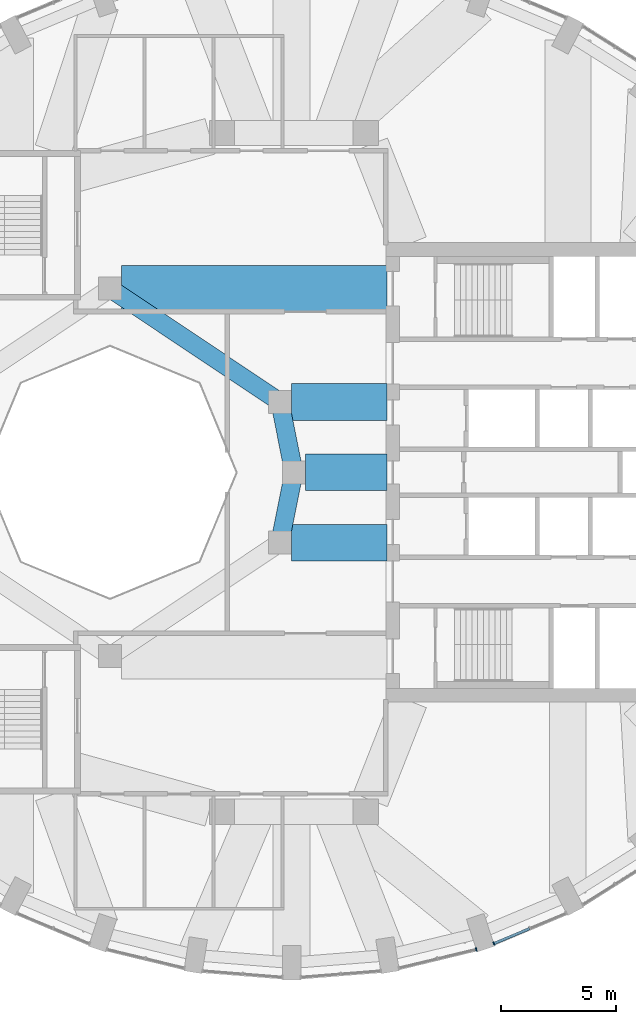
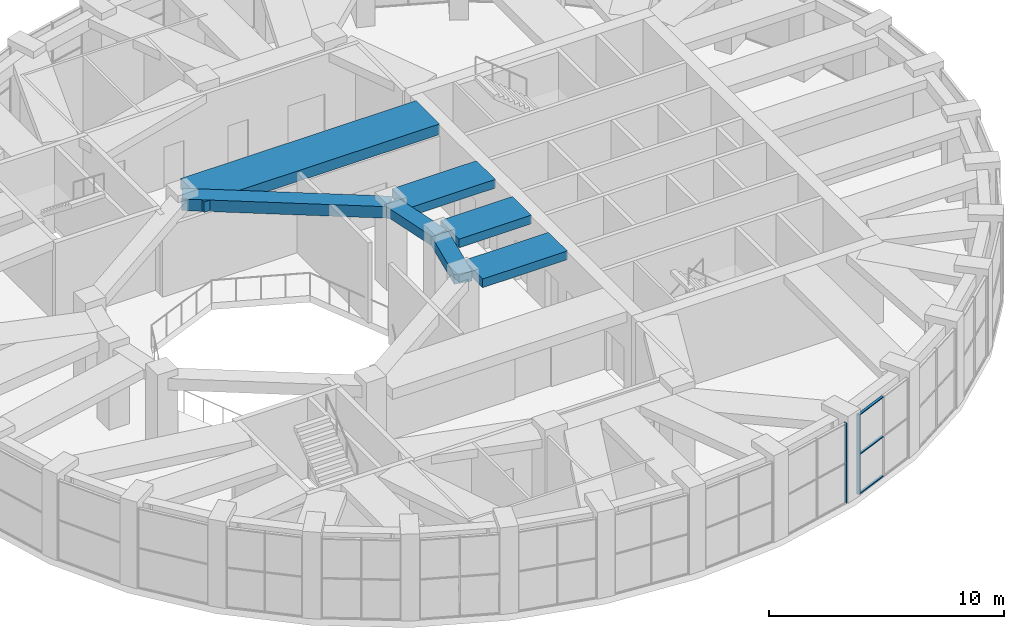
# One storey, part 5 of 17: 7 beams, 5 members, 2 elements without a shape of their own.
"""IFC4 building model written with IfcOpenShell, lengths in metres."""

from ifc_helpers import new_model, si_unit, direction, frame, origin, origin_2d, place, context, subcontext, project, spatial, rectangle, extrude, material, material_profile, profile_set, type_object, element, aggregate, save


model = new_model("IFC4")

# Units and contexts
model_context = context("Model", 3, precision=1e-05, world=origin(), true_north=direction((0.0, 1.0)))
body_context = subcontext(model_context, "Body", "Model", "MODEL_VIEW")
ifc_project = project(units=[si_unit("LENGTHUNIT", "METRE"), si_unit("AREAUNIT", "SQUARE_METRE"), si_unit("VOLUMEUNIT", "CUBIC_METRE"), si_unit("PLANEANGLEUNIT", "RADIAN"), si_unit("MASSUNIT", "GRAM", prefix="KILO")], contexts=[model_context])

# Site, building, storey
site_placement = place(None, origin())
site = spatial("IfcSite", under=ifc_project, at=site_placement, CompositionType="ELEMENT")
building_placement = place(site_placement, origin())
building = spatial("IfcBuilding", under=site, at=building_placement, Name="Taillehof Tower", CompositionType="ELEMENT")
storey_placement = place(building_placement, frame((0.0, 0.0, 259.699951171875)))
storey = spatial("IfcBuildingStorey", under=building, at=storey_placement, Name="L74", CompositionType="ELEMENT", Elevation=259.699951171875)

# Beams
ifc_material_1 = material(Name="Concrete C50/60", Category="concrete")
ifc_material_profile_1 = material_profile(ifc_material_1, rectangle(XDim=0.800048828125, YDim=0.5, at=origin_2d()), Name="RC 800x500")
ifc_profile_set_1 = profile_set([ifc_material_profile_1], Name="Concrete C50/60")
beam_type_1 = type_object("IfcBeamType", Name="Atrium ring beam C50/60 800x500", PredefinedType="BEAM", material=ifc_profile_set_1)
for number, where, z_axis, x_axis, name in (
    (1, (0.0, 0.0, 3.900146484375), (-0.195063155143, 0.980790683839, 0.0), (-0.980790683839, -0.195063155143, 0.0), "Atrium ring beam AB01"),
    (2, (-0.60888671875, -3.0615234375, 3.900146484375), (0.195063155143, 0.980790683839, 0.0), (-0.980790683839, 0.195063155143, 0.0), "Atrium ring beam AB08"),
):
    element("IfcBeam", number, at=place(storey_placement, frame(where, z_axis=z_axis, x_axis=x_axis)), inside=storey, type_object=beam_type_1, Name=name, PredefinedType="BEAM", context=body_context, shape_type="SweptSolid", body=[
        extrude(rectangle(XDim=0.800048828125, YDim=0.5, at=origin_2d()), origin(), (0.0, 0.0, 1.0), 3.12158203125),
    ])
ifc_material_2 = material(Name="Concrete C50/60", Category="concrete")
ifc_material_profile_2 = material_profile(ifc_material_2, rectangle(XDim=0.800048828125, YDim=0.60009765625, at=origin_2d()), Name="RC 800x600")
ifc_profile_set_2 = profile_set([ifc_material_profile_2], Name="Concrete C50/60")
beam_type_2 = type_object("IfcBeamType", Name="Atrium ring beam C50/60 800x600", PredefinedType="BEAM", material=ifc_profile_set_2)
beam_1_placement = place(storey_placement, frame((-0.60888671875, 3.0615234375, 3.85009765625), z_axis=(-0.831475195687, 0.555561876804, 0.0), x_axis=(-0.555561876804, -0.831475195687, 0.0)))
element("IfcBeam", 3, at=beam_1_placement, inside=storey, type_object=beam_type_2, Name="Atrium ring beam AB02", PredefinedType="BEAM", context=body_context, shape_type="SweptSolid", body=[
    extrude(rectangle(XDim=0.800048828125, YDim=0.60009765625, at=origin_2d()), origin(), (0.0, 0.0, 1.0), 8.88916015625),
])

# Curtain wall, member
ifc_material_3 = material(Name="Aluminium curtain wall with Clear low-emissivity double glazing", Category="aluminium")
curtain_wall_type = type_object("IfcCurtainWallType", Name="Club lounge curtain wall", PredefinedType="USERDEFINED", material=ifc_material_3)
curtain_wall_1_placement = place(storey_placement, origin())
curtain_wall_1 = element("IfcCurtainWall", 4, at=curtain_wall_1_placement, inside=storey, type_object=curtain_wall_type, Name="Club lounge L74 bay 29", ObjectType="WINDOW WALL", PredefinedType="USERDEFINED")
ifc_material_4 = material(Name="Aluminium mullion", Category="aluminium")
ifc_material_profile_3 = material_profile(ifc_material_4, rectangle(XDim=0.159912109375, YDim=0.050048828125, at=origin_2d()), Name="AL 50x160")
ifc_profile_set_3 = profile_set([ifc_material_profile_3], Name="Aluminium mullion")
member_type_1 = type_object("IfcMemberType", Name="Club lounge mullion 50x160", PredefinedType="MULLION", material=ifc_profile_set_3)
member_1_placement = place(storey_placement, frame((7.9365234375, -20.766357421875, 0.0), z_axis=(0.0, 0.0, 1.0), x_axis=(-0.234514520129, 0.972112616855, 0.0)))
member_1 = element("IfcMember", 5, at=member_1_placement, type_object=member_type_1, Name="CT4E29 mullion 3", PredefinedType="MULLION", context=body_context, shape_type="SweptSolid", body=[
    extrude(rectangle(XDim=0.159912109375, YDim=0.050048828125, at=origin_2d()), origin(), (0.0, 0.0, 1.0), 4.150146484375),
])
aggregate(curtain_wall_1, [member_1])

# Curtain wall, members
curtain_wall_2_placement = place(storey_placement, origin())
curtain_wall_2 = element("IfcCurtainWall", 6, at=curtain_wall_2_placement, inside=storey, type_object=curtain_wall_type, Name="Club lounge L74 bay 30", ObjectType="WINDOW WALL", PredefinedType="USERDEFINED")
member_2_placement = place(storey_placement, frame((8.706298828125, -20.513671875, 0.0), z_axis=(0.0, 0.0, 1.0), x_axis=(-0.387100713636, 0.922037438233, 0.0)))
member_2 = element("IfcMember", 7, at=member_2_placement, type_object=member_type_1, Name="CT4E30 mullion 1", PredefinedType="MULLION", context=body_context, shape_type="SweptSolid", body=[
    extrude(rectangle(XDim=0.159912109375, YDim=0.050048828125, at=origin_2d()), origin(), (0.0, 0.0, 1.0), 4.150146484375),
])
ifc_material_5 = material(Name="Aluminium transom", Category="aluminium")
ifc_material_profile_4 = material_profile(ifc_material_5, rectangle(XDim=0.1201171875, YDim=0.050048828125, at=origin_2d()), Name="AL 120x50")
ifc_profile_set_4 = profile_set([ifc_material_profile_4], Name="Aluminium transom")
member_type_2 = type_object("IfcMemberType", Name="Club lounge transom 120x50", PredefinedType="USERDEFINED", material=ifc_profile_set_4)
member_3_placement = place(storey_placement, frame((8.729248046875, -20.504150390625, 0.025146484375), z_axis=(0.922014699526, 0.387154870636, 0.0), x_axis=(-0.387154870636, 0.922014699526, 0.0)))
member_3 = element("IfcMember", 8, at=member_3_placement, type_object=member_type_2, Name="CT4E30 transom 1.1", ObjectType="TRANSOM", PredefinedType="USERDEFINED", context=body_context, shape_type="SweptSolid", body=[
    extrude(rectangle(XDim=0.1201171875, YDim=0.050048828125, at=origin_2d()), origin(), (0.0, 0.0, 1.0), 1.657958984375),
])
member_4_placement = place(storey_placement, frame((8.729248046875, -20.504150390625, 2.074951171875), z_axis=(0.922014699526, 0.387154870636, 0.0), x_axis=(-0.387154870636, 0.922014699526, 0.0)))
member_4 = element("IfcMember", 9, at=member_4_placement, type_object=member_type_2, Name="CT4E30 transom 1.2", ObjectType="TRANSOM", PredefinedType="USERDEFINED", context=body_context, shape_type="SweptSolid", body=[
    extrude(rectangle(XDim=0.1201171875, YDim=0.050048828125, at=origin_2d()), origin(), (0.0, 0.0, 1.0), 1.657958984375),
])
member_5_placement = place(storey_placement, frame((8.729248046875, -20.504150390625, 4.125), z_axis=(0.922014699526, 0.387154870636, 0.0), x_axis=(-0.387154870636, 0.922014699526, 0.0)))
member_5 = element("IfcMember", 10, at=member_5_placement, type_object=member_type_2, Name="CT4E30 transom 1.3", ObjectType="TRANSOM", PredefinedType="USERDEFINED", context=body_context, shape_type="SweptSolid", body=[
    extrude(rectangle(XDim=0.1201171875, YDim=0.050048828125, at=origin_2d()), origin(), (0.0, 0.0, 1.0), 1.657958984375),
])
aggregate(curtain_wall_2, [member_2, member_3, member_4, member_5])

# Beams
ifc_material_6 = material(Name="Concrete C50/60", Category="concrete")
ifc_material_profile_5 = material_profile(ifc_material_6, rectangle(XDim=1.60009765625, YDim=0.449951171875, at=origin_2d()), Name="RC 1600x450")
ifc_profile_set_5 = profile_set([ifc_material_profile_5], Name="Concrete C50/60")
beam_type_3 = type_object("IfcBeamType", Name="Radial band beam C50/60 1600x450", PredefinedType="BEAM", material=ifc_profile_set_5)
beam_2_placement = place(storey_placement, frame((0.5, 0.0, 3.925048828125), z_axis=(1.0, 0.0, 0.0), x_axis=(0.0, 1.0, 0.0)))
element("IfcBeam", 11, at=beam_2_placement, inside=storey, type_object=beam_type_3, Name="Inner band beam IB101", PredefinedType="BEAM", context=body_context, shape_type="SweptSolid", body=[
    extrude(rectangle(XDim=1.60009765625, YDim=0.449951171875, at=origin_2d()), origin(), (0.0, 0.0, 1.0), 3.550048828125),
])
for number, where, z_axis, x_axis, name in (
    (12, (-0.10888671875, 3.0615234375, 3.925048828125), (1.0, 0.0, 0.0), (0.0, 1.0, 0.0), "Inner band beam IB102"),
    (13, (-0.10888671875, -3.0615234375, 3.925048828125), (1.0, 0.0, 0.0), (0.0, 1.0, 0.0), "Inner band beam IB116"),
):
    element("IfcBeam", number, at=place(storey_placement, frame(where, z_axis=z_axis, x_axis=x_axis)), inside=storey, type_object=beam_type_3, Name=name, PredefinedType="BEAM", context=body_context, shape_type="SweptSolid", body=[
        extrude(rectangle(XDim=1.60009765625, YDim=0.449951171875, at=origin_2d()), origin(), (0.0, 0.0, 1.0), 4.158935546875),
    ])
ifc_material_7 = material(Name="Concrete C50/60", Category="concrete")
ifc_material_profile_6 = material_profile(ifc_material_7, rectangle(XDim=2.0, YDim=0.550048828125, at=origin_2d()), Name="RC 2000x550")
ifc_profile_set_6 = profile_set([ifc_material_profile_6], Name="Concrete C50/60")
beam_type_4 = type_object("IfcBeamType", Name="Radial band beam C50/60 2000x550", PredefinedType="BEAM", material=ifc_profile_set_6)
beam_3_placement = place(storey_placement, frame((-7.5, 8.0, 3.875), z_axis=(1.0, 0.0, 0.0), x_axis=(0.0, 1.0, 0.0)))
element("IfcBeam", 14, at=beam_3_placement, inside=storey, type_object=beam_type_4, Name="Inner band beam IB105", PredefinedType="BEAM", context=body_context, shape_type="SweptSolid", body=[
    extrude(rectangle(XDim=2.0, YDim=0.550048828125, at=origin_2d()), origin(), (0.0, 0.0, 1.0), 11.550048828125),
])

save(model, "model.ifc")
